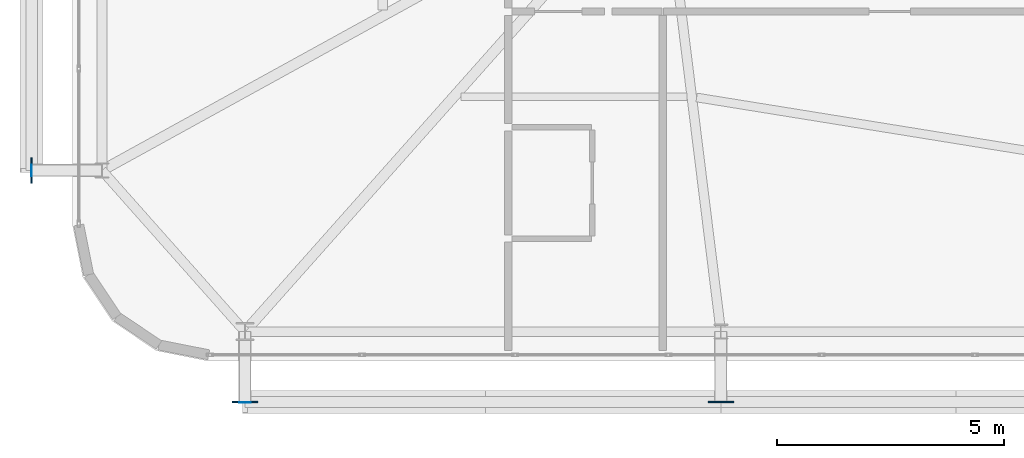
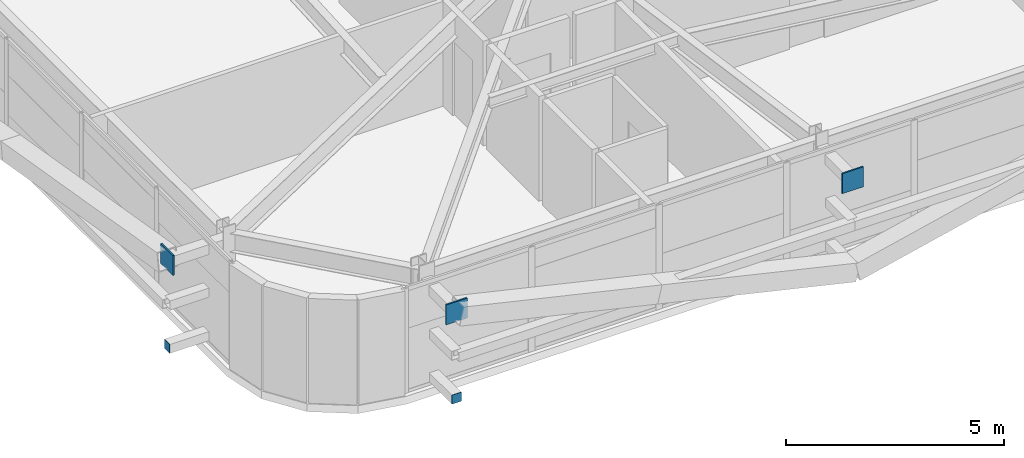
# One storey, part 44 of 59: 5 plates.
"""IFC4 building model written with IfcOpenShell, lengths in metres."""

from ifc_helpers import new_model, si_unit, direction, frame, origin, origin_2d, place, context, subcontext, project, spatial, rectangle, extrude, source, transform, mapped, material, layer, layer_set, type_object, element, save


model = new_model("IFC4")

# Units and contexts
model_context = context("Model", 3, precision=1e-05, world=origin(), true_north=direction((0.0, 1.0)))
body_context = subcontext(model_context, "Body", "Model", "MODEL_VIEW")
ifc_project = project(units=[si_unit("LENGTHUNIT", "METRE"), si_unit("AREAUNIT", "SQUARE_METRE"), si_unit("VOLUMEUNIT", "CUBIC_METRE"), si_unit("PLANEANGLEUNIT", "RADIAN"), si_unit("MASSUNIT", "GRAM", prefix="KILO")], contexts=[model_context])

# Site, building, storey
site_placement = place(None, origin())
site = spatial("IfcSite", under=ifc_project, at=site_placement, CompositionType="ELEMENT")
building_placement = place(site_placement, origin())
building = spatial("IfcBuilding", under=site, at=building_placement, Name="Taldren Reach Tower", CompositionType="ELEMENT")
storey_placement = place(building_placement, frame((0.0, 0.0, 26.25)))
storey = spatial("IfcBuildingStorey", under=building, at=storey_placement, Name="L07", CompositionType="ELEMENT", Elevation=26.25)

# Plates
ifc_material_1 = material(Name="Steel Gr 450 (C450L0)", Category="steel")
ifc_layer_1 = layer(ifc_material_1, 0.0400390625)
ifc_layer_set_1 = layer_set([ifc_layer_1], Name="Steel Gr 450 (C450L0)")
plate_type_1 = type_object("IfcPlateType", Name="PL-GUSSET-40", PredefinedType="SHEET", material=ifc_layer_set_1)
shared_shape_1 = source(origin(), body_context, "Body", "SweptSolid", [
    extrude(rectangle(XDim=0.56005859375, YDim=0.0400390625, at=origin_2d()), origin(), (0.0, 0.0, 1.0), 0.56005859375),
])
for number, where, z_axis, x_axis, name in (
    (1, (8.800048828125, 0.60009765625, 2.369873046875), (0.0, 0.0, 1.0), (1.0, 0.0, 0.0), "Exoskeleton star-node gusset plate B1-S1 L07"),
    (2, (19.280029296875, 0.60009765625, 2.369873046875), (0.0, 0.0, 1.0), (1.0, 0.0, 0.0), "Exoskeleton star-node gusset plate B1-S2 L07"),
    (3, (4.10009765625, 5.699951171875, 2.369873046875), (0.0, 0.0, 1.0), (0.0, 1.0, 0.0), "Exoskeleton star-node gusset plate B1-W1 L07"),
):
    element("IfcPlate", number, at=place(storey_placement, frame(where, z_axis=z_axis, x_axis=x_axis)), inside=storey, type_object=plate_type_1, Name=name, PredefinedType="SHEET", context=body_context, shape_type="MappedRepresentation", body=[
        mapped(shared_shape_1, transform((0.0, 0.0, 0.0), scale=1.0)),
    ])
ifc_material_2 = material(Name="Steel Gr 350 (C350L0)", Category="steel")
ifc_layer_2 = layer(ifc_material_2, 0.011962890625)
ifc_layer_set_2 = layer_set([ifc_layer_2], Name="Steel Gr 350 (C350L0)")
plate_type_2 = type_object("IfcPlateType", Name="PL-CAP-250", PredefinedType="SHEET", material=ifc_layer_set_2)
shared_shape_2 = source(origin(), body_context, "Body", "SweptSolid", [
    extrude(rectangle(XDim=0.25, YDim=0.011962890625, at=origin_2d()), origin(), (0.0, 0.0, 1.0), 0.25),
])
plate_1_placement = place(storey_placement, frame((8.800048828125, 0.593994140625, 0.094970703125), z_axis=(0.0, 0.0, 1.0), x_axis=(1.0, 0.0, 0.0)))
element("IfcPlate", 4, at=plate_1_placement, inside=storey, type_object=plate_type_2, Name="Tie strut end cap plate B1-S1 L07", PredefinedType="SHEET", context=body_context, shape_type="MappedRepresentation", body=[
    mapped(shared_shape_2, transform((0.0, 0.0, 0.0), scale=1.0)),
])
shared_shape_3 = source(origin(), body_context, "Body", "SweptSolid", [
    extrude(rectangle(XDim=0.011962890625, YDim=0.25, at=origin_2d()), origin(), (0.0, 0.0, 1.0), 0.25),
])
plate_2_placement = place(storey_placement, frame((4.093994140625, 5.699951171875, 0.094970703125), z_axis=(0.0, 0.0, 1.0), x_axis=(1.0, 0.0, 0.0)))
element("IfcPlate", 5, at=plate_2_placement, inside=storey, type_object=plate_type_2, Name="Tie strut end cap plate B1-W1 L07", PredefinedType="SHEET", context=body_context, shape_type="MappedRepresentation", body=[
    mapped(shared_shape_3, transform((0.0, 0.0, 0.0), scale=1.0)),
])

save(model, "model.ifc")
